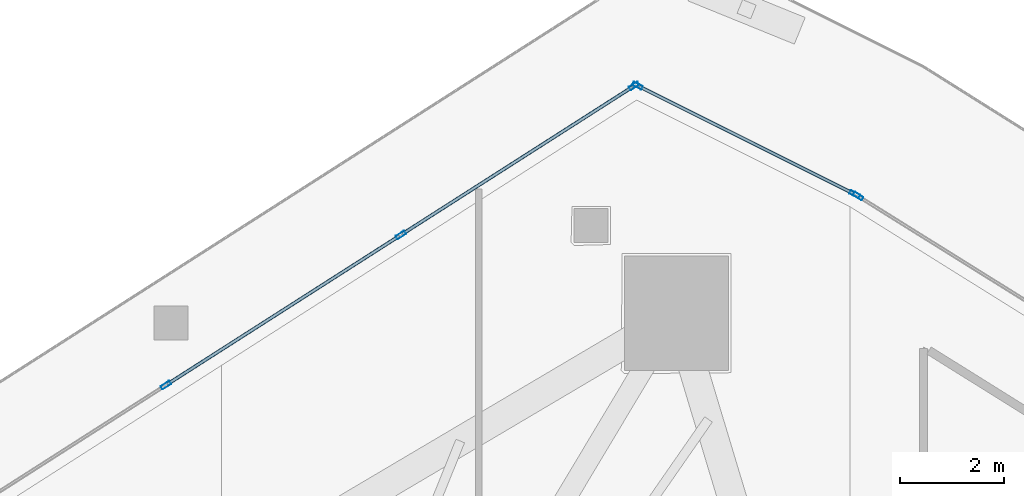
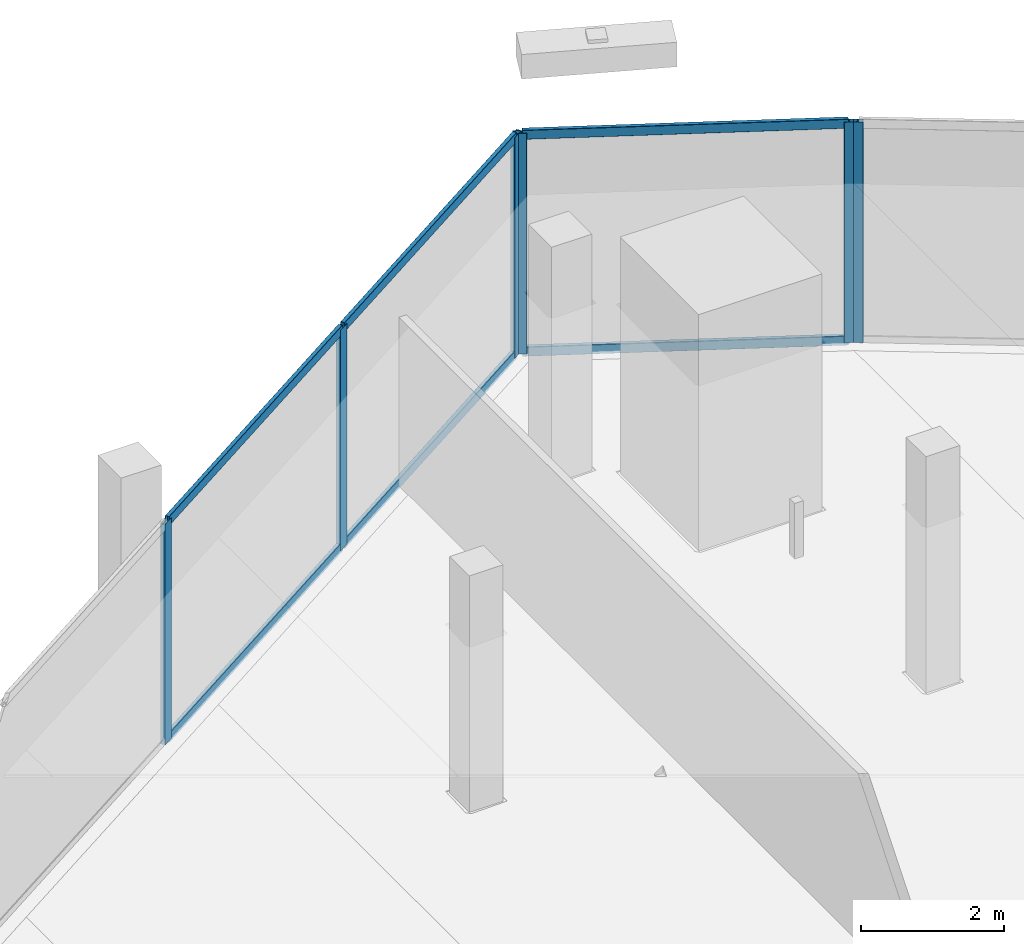
# One storey, part 22 of 39: 12 members, 3 elements without a shape of their own.
"""IFC4 building model written with IfcOpenShell, lengths in metres."""

from ifc_helpers import new_model, si_unit, direction, frame, origin, origin_2d, place, context, subcontext, project, spatial, hollow_rectangle, extrude, material, layer, layer_set, material_profile, profile_set, type_object, element, aggregate, save


model = new_model("IFC4")

# Units and contexts
model_context = context("Model", 3, precision=1e-05, world=origin(), true_north=direction((0.0, 1.0)))
body_context = subcontext(model_context, "Body", "Model", "MODEL_VIEW")
ifc_project = project(units=[si_unit("LENGTHUNIT", "METRE"), si_unit("AREAUNIT", "SQUARE_METRE"), si_unit("VOLUMEUNIT", "CUBIC_METRE"), si_unit("PLANEANGLEUNIT", "RADIAN"), si_unit("MASSUNIT", "GRAM", prefix="KILO")], contexts=[model_context])

# Site, building, storey
site_placement = place(None, origin())
site = spatial("IfcSite", under=ifc_project, at=site_placement, CompositionType="ELEMENT")
building_placement = place(site_placement, origin())
building = spatial("IfcBuilding", under=site, at=building_placement, Name="Qorvath Tower", CompositionType="ELEMENT")
storey_placement = place(building_placement, frame((0.0, 0.0, 154.35009765625)))
storey = spatial("IfcBuildingStorey", under=building, at=storey_placement, Name="L35", CompositionType="ELEMENT", Elevation=154.35009765625)

# Curtain wall, member
ifc_material_1 = material(Name="Anodised aluminium and triple low-E glass", Category="aluminium")
ifc_layer = layer(ifc_material_1, 0.179931640625)
ifc_layer_set = layer_set([ifc_layer], Name="CW-SYS-5")
curtain_wall_type = type_object("IfcCurtainWallType", Name="CW-SYS-5", PredefinedType="NOTDEFINED", material=ifc_layer_set)
curtain_wall_1_placement = place(storey_placement, origin())
curtain_wall_1 = element("IfcCurtainWall", 1, at=curtain_wall_1_placement, inside=storey, type_object=curtain_wall_type, Name="Curtain Wall CW-5 CW-T-L35-14.1", PredefinedType="NOTDEFINED")
ifc_material_2 = material(Name="Anodised aluminium 6063-T6", Category="aluminium")
ifc_material_profile_1 = material_profile(ifc_material_2, hollow_rectangle(XDim=0.074951171875, YDim=0.199951171875, WallThickness=0.00390625, InnerFilletRadius=0.00390625, OuterFilletRadius=0.008056640625, at=origin_2d()), Name="CWM 200x75")
ifc_profile_set_1 = profile_set([ifc_material_profile_1], Name="Anodised aluminium 6063-T6")
member_type_1 = type_object("IfcMemberType", Name="CWM-200", PredefinedType="MULLION", material=ifc_profile_set_1)
member_1_placement = place(storey_placement, frame((-11.86083984375, 27.48974609375, 0.0), z_axis=(0.0, 0.0, 1.0), x_axis=(-0.529393344809, -0.848376500424, 0.0)))
member_1 = element("IfcMember", 2, at=member_1_placement, type_object=member_type_1, Name="CW-5 mullion 3", PredefinedType="MULLION", context=body_context, shape_type="SweptSolid", body=[
    extrude(hollow_rectangle(XDim=0.074951171875, YDim=0.199951171875, WallThickness=0.00390625, InnerFilletRadius=0.00390625, OuterFilletRadius=0.008056640625, at=origin_2d()), origin(), (0.0, 0.0, 1.0), 3.77978515625),
])
aggregate(curtain_wall_1, [member_1])

# Curtain wall, members
curtain_wall_2_placement = place(storey_placement, origin())
curtain_wall_2 = element("IfcCurtainWall", 3, at=curtain_wall_2_placement, inside=storey, type_object=curtain_wall_type, Name="Curtain Wall CW-5 CW-T-L35-15.1", PredefinedType="NOTDEFINED")
member_2_placement = place(storey_placement, frame((-11.926025390625, 27.5263671875, 0.0), z_axis=(0.0, 0.0, 1.0), x_axis=(-0.447230502353, -0.894418737374, 0.0)))
member_2 = element("IfcMember", 4, at=member_2_placement, type_object=member_type_1, Name="CW-5 mullion 1", PredefinedType="MULLION", context=body_context, shape_type="SweptSolid", body=[
    extrude(hollow_rectangle(XDim=0.074951171875, YDim=0.199951171875, WallThickness=0.00390625, InnerFilletRadius=0.00390625, OuterFilletRadius=0.008056640625, at=origin_2d()), origin(), (0.0, 0.0, 1.0), 3.77978515625),
])
member_3_placement = place(storey_placement, frame((-16.09130859375, 29.60888671875, 0.0), z_axis=(0.0, 0.0, 1.0), x_axis=(-0.447230502353, -0.894418737374, 0.0)))
member_3 = element("IfcMember", 5, at=member_3_placement, type_object=member_type_1, Name="CW-5 mullion 2", PredefinedType="MULLION", context=body_context, shape_type="SweptSolid", body=[
    extrude(hollow_rectangle(XDim=0.074951171875, YDim=0.199951171875, WallThickness=0.00390625, InnerFilletRadius=0.00390625, OuterFilletRadius=0.008056640625, at=origin_2d()), origin(), (0.0, 0.0, 1.0), 3.77978515625),
])

curtain_wall_3_placement = place(storey_placement, origin())
curtain_wall_3 = element("IfcCurtainWall", 6, at=curtain_wall_3_placement, inside=storey, type_object=curtain_wall_type, Name="Curtain Wall CW-5 CW-T-L35-16.1", PredefinedType="NOTDEFINED")
member_4_placement = place(storey_placement, frame((-16.156494140625, 29.60546875, 0.0), z_axis=(0.0, 0.0, 1.0), x_axis=(0.538535404822, -0.842602882592, 0.0)))
member_4 = element("IfcMember", 7, at=member_4_placement, type_object=member_type_1, Name="CW-5 mullion 1", PredefinedType="MULLION", context=body_context, shape_type="SweptSolid", body=[
    extrude(hollow_rectangle(XDim=0.074951171875, YDim=0.199951171875, WallThickness=0.00390625, InnerFilletRadius=0.00390625, OuterFilletRadius=0.008056640625, at=origin_2d()), origin(), (0.0, 0.0, 1.0), 3.77978515625),
])
member_5_placement = place(storey_placement, frame((-20.63134765625, 26.745361328125, 0.0), z_axis=(0.0, 0.0, 1.0), x_axis=(0.538535404822, -0.842602882592, 0.0)))
member_5 = element("IfcMember", 8, at=member_5_placement, type_object=member_type_1, Name="CW-5 mullion 2", PredefinedType="MULLION", context=body_context, shape_type="SweptSolid", body=[
    extrude(hollow_rectangle(XDim=0.074951171875, YDim=0.199951171875, WallThickness=0.00390625, InnerFilletRadius=0.00390625, OuterFilletRadius=0.008056640625, at=origin_2d()), origin(), (0.0, 0.0, 1.0), 3.77978515625),
])
member_6_placement = place(storey_placement, frame((-25.137939453125, 23.865234375, 0.0), z_axis=(0.0, 0.0, 1.0), x_axis=(0.538535404822, -0.842602882592, 0.0)))
member_6 = element("IfcMember", 9, at=member_6_placement, type_object=member_type_1, Name="CW-5 mullion 3", PredefinedType="MULLION", context=body_context, shape_type="SweptSolid", body=[
    extrude(hollow_rectangle(XDim=0.074951171875, YDim=0.199951171875, WallThickness=0.00390625, InnerFilletRadius=0.00390625, OuterFilletRadius=0.008056640625, at=origin_2d()), origin(), (0.0, 0.0, 1.0), 3.77978515625),
])

# Member
ifc_material_3 = material(Name="Anodised aluminium 6063-T6", Category="aluminium")
ifc_material_profile_2 = material_profile(ifc_material_3, hollow_rectangle(XDim=0.06494140625, YDim=0.159912109375, WallThickness=0.00341796875, InnerFilletRadius=0.00341796875, OuterFilletRadius=0.007080078125, at=origin_2d()), Name="CWT 160x65")
ifc_profile_set_2 = profile_set([ifc_material_profile_2], Name="Anodised aluminium 6063-T6")
member_type_2 = type_object("IfcMemberType", Name="CWT-160", PredefinedType="USERDEFINED", material=ifc_profile_set_2)
member_7_placement = place(storey_placement, frame((-11.959716796875, 27.54296875, 0.032470703125), z_axis=(-0.894416533415, 0.447234910036, 0.0), x_axis=(-0.447234910036, -0.894416533415, 0.0)))
member_7 = element("IfcMember", 10, at=member_7_placement, type_object=member_type_2, Name="CW-5 transom 1.1", ObjectType="TRANSOM", PredefinedType="USERDEFINED", context=body_context, shape_type="SweptSolid", body=[
    extrude(hollow_rectangle(XDim=0.06494140625, YDim=0.159912109375, WallThickness=0.00341796875, InnerFilletRadius=0.00341796875, OuterFilletRadius=0.007080078125, at=origin_2d()), origin(), (0.0, 0.0, 1.0), 4.58154296875),
])

member_8_placement = place(storey_placement, frame((-11.959716796875, 27.54296875, 3.747314453125), z_axis=(-0.894416533415, 0.447234910036, 0.0), x_axis=(-0.447234910036, -0.894416533415, 0.0)))
member_8 = element("IfcMember", 11, at=member_8_placement, type_object=member_type_2, Name="CW-5 transom 1.2", ObjectType="TRANSOM", PredefinedType="USERDEFINED", context=body_context, shape_type="SweptSolid", body=[
    extrude(hollow_rectangle(XDim=0.06494140625, YDim=0.159912109375, WallThickness=0.00341796875, InnerFilletRadius=0.00341796875, OuterFilletRadius=0.007080078125, at=origin_2d()), origin(), (0.0, 0.0, 1.0), 4.58154296875),
])

aggregate(curtain_wall_2, [member_2, member_3, member_7, member_8])

member_9_placement = place(storey_placement, frame((-16.18798828125, 29.585205078125, 0.032470703125), z_axis=(-0.842619269858, -0.53850976413, 0.0), x_axis=(0.53850976413, -0.842619269858, 0.0)))
member_9 = element("IfcMember", 12, at=member_9_placement, type_object=member_type_2, Name="CW-5 transom 1.1", ObjectType="TRANSOM", PredefinedType="USERDEFINED", context=body_context, shape_type="SweptSolid", body=[
    extrude(hollow_rectangle(XDim=0.06494140625, YDim=0.159912109375, WallThickness=0.00341796875, InnerFilletRadius=0.00341796875, OuterFilletRadius=0.007080078125, at=origin_2d()), origin(), (0.0, 0.0, 1.0), 5.23583984375),
])

member_10_placement = place(storey_placement, frame((-16.18798828125, 29.585205078125, 3.747314453125), z_axis=(-0.842619269858, -0.53850976413, 0.0), x_axis=(0.53850976413, -0.842619269858, 0.0)))
member_10 = element("IfcMember", 13, at=member_10_placement, type_object=member_type_2, Name="CW-5 transom 1.2", ObjectType="TRANSOM", PredefinedType="USERDEFINED", context=body_context, shape_type="SweptSolid", body=[
    extrude(hollow_rectangle(XDim=0.06494140625, YDim=0.159912109375, WallThickness=0.00341796875, InnerFilletRadius=0.00341796875, OuterFilletRadius=0.007080078125, at=origin_2d()), origin(), (0.0, 0.0, 1.0), 5.23583984375),
])

member_11_placement = place(storey_placement, frame((-20.662841796875, 26.72509765625, 0.032470703125), z_axis=(-0.842607560857, -0.538528085049, 0.0), x_axis=(0.538528085049, -0.842607560857, 0.0)))
member_11 = element("IfcMember", 14, at=member_11_placement, type_object=member_type_2, Name="CW-5 transom 2.1", ObjectType="TRANSOM", PredefinedType="USERDEFINED", context=body_context, shape_type="SweptSolid", body=[
    extrude(hollow_rectangle(XDim=0.06494140625, YDim=0.159912109375, WallThickness=0.00341796875, InnerFilletRadius=0.00341796875, OuterFilletRadius=0.007080078125, at=origin_2d()), origin(), (0.0, 0.0, 1.0), 5.2734375),
])

member_12_placement = place(storey_placement, frame((-20.662841796875, 26.72509765625, 3.747314453125), z_axis=(-0.842607560857, -0.538528085049, 0.0), x_axis=(0.538528085049, -0.842607560857, 0.0)))
member_12 = element("IfcMember", 15, at=member_12_placement, type_object=member_type_2, Name="CW-5 transom 2.2", ObjectType="TRANSOM", PredefinedType="USERDEFINED", context=body_context, shape_type="SweptSolid", body=[
    extrude(hollow_rectangle(XDim=0.06494140625, YDim=0.159912109375, WallThickness=0.00341796875, InnerFilletRadius=0.00341796875, OuterFilletRadius=0.007080078125, at=origin_2d()), origin(), (0.0, 0.0, 1.0), 5.2734375),
])

aggregate(curtain_wall_3, [member_4, member_5, member_6, member_9, member_10, member_11, member_12])

save(model, "model.ifc")
